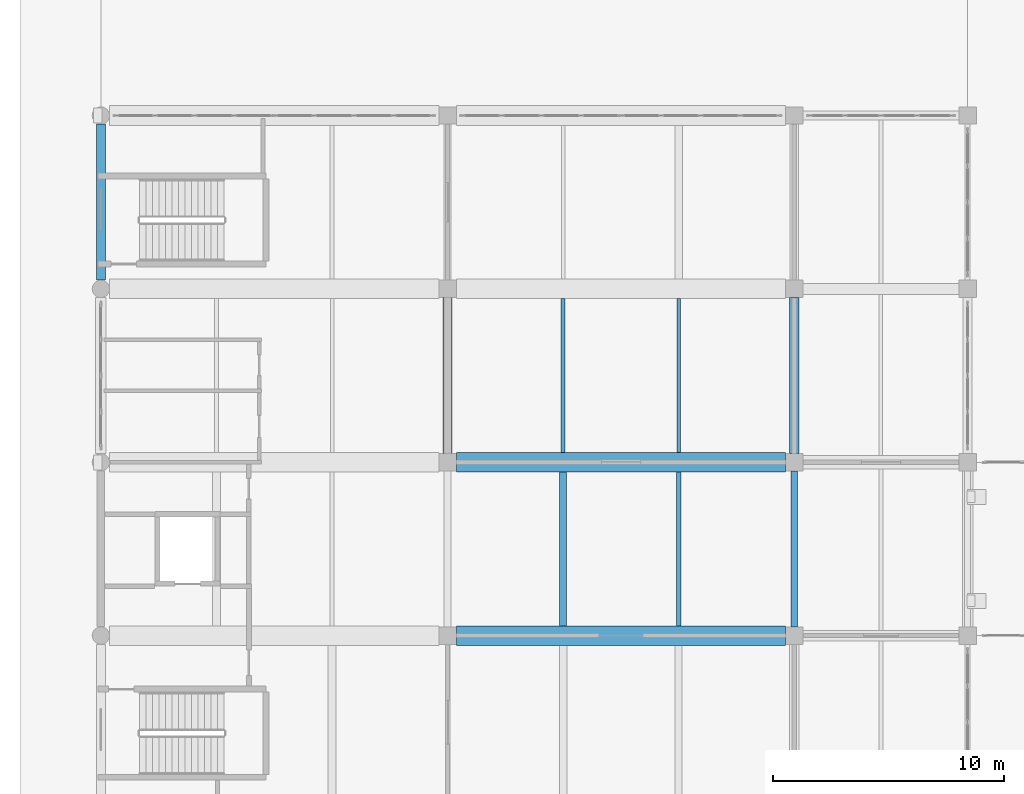
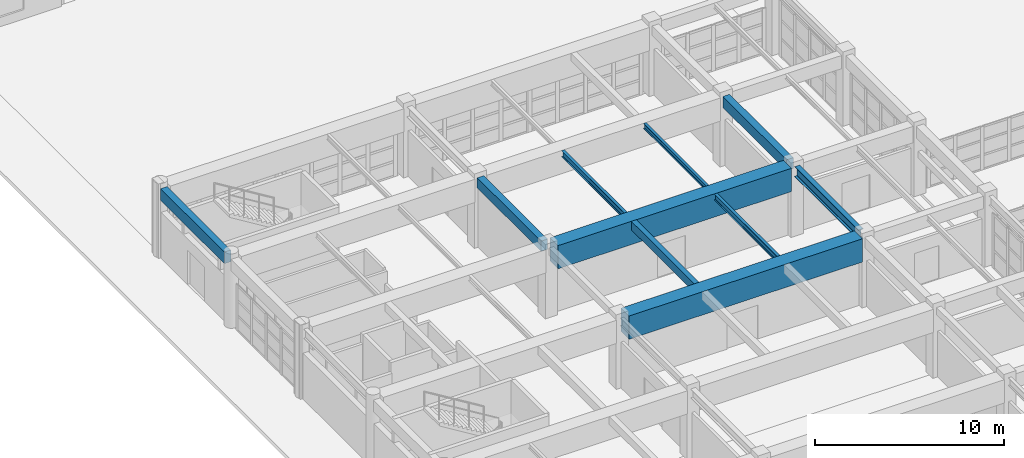
# One storey, part 12 of 122: 10 beams.
"""IFC4 building model written with IfcOpenShell, lengths in metres."""

import ifcopenshell
import ifcopenshell.guid

model = None  # the IFC model being written
_history = None  # IfcOwnerHistory: only IFC2X3 demands one
_inside = {}  # id of a spatial element -> (the spatial element, [elements in it])
_under = {}  # id of a project, library or spatial element -> (it, [spatial elements below it])
_declared = {}  # id of a project -> (the project, [libraries it declares])
_typed = {}  # id of a type object -> (the type object, [elements of that type])
_made_of = {}  # id of a material, layer set ... -> (it, [elements and type objects made of it])


def new_model(schema):
    """Start an empty IFC model of exactly this schema.

    Asked for "IFC4X3", IfcOpenShell would pick the latest addendum, in which some entities
    have other attributes; the version numbers below select the first issue.
    IFC2X3 requires an IfcOwnerHistory on every rooted entity: one is made here for all.
    """
    global model, _history
    if schema == "IFC4X3":
        model = ifcopenshell.file(schema_version=(4, 3, 0, 0))
    else:
        model = ifcopenshell.file(schema=schema)
    _inside.clear()
    _under.clear()
    _declared.clear()
    _typed.clear()
    _made_of.clear()
    _history = None
    if model.schema == "IFC2X3":
        org = make("IfcOrganization", Name="unknown")
        user = make(
            "IfcPersonAndOrganization",
            ThePerson=make("IfcPerson", FamilyName="unknown"),
            TheOrganization=org,
        )
        app = make(
            "IfcApplication",
            ApplicationDeveloper=org,
            Version="unknown",
            ApplicationFullName="unknown",
            ApplicationIdentifier="unknown",
        )
        _history = make(
            "IfcOwnerHistory",
            OwningUser=user,
            OwningApplication=app,
            ChangeAction="ADDED",
            CreationDate=0,
        )
    return model


def make(cls, **values):
    """One entity of the class cls with the attributes given. An attribute that is None is left unset."""
    return model.create_entity(
        cls, **{name: value for name, value in values.items() if value is not None}
    )


def rooted(cls, **values):
    """An entity with a GlobalId (a new one), such as an element, a storey or a relation."""
    return make(cls, GlobalId=ifcopenshell.guid.new(), OwnerHistory=_history, **values)


def si_unit(unit_type, name, prefix=None):
    """IfcSIUnit, for example si_unit("LENGTHUNIT", "METRE", prefix="MILLI")."""
    return make("IfcSIUnit", UnitType=unit_type, Prefix=prefix, Name=name)


def assignment(units):
    """IfcUnitAssignment: the units of a project."""
    return None if units is None else make("IfcUnitAssignment", Units=units)


def point(xyz):
    """IfcCartesianPoint."""
    return None if xyz is None else make("IfcCartesianPoint", Coordinates=xyz)


def direction(xyz):
    """IfcDirection."""
    return None if xyz is None else make("IfcDirection", DirectionRatios=xyz)


def frame(location, z_axis=None, x_axis=None):
    """IfcAxis2Placement3D, a coordinate frame: its origin and axes. An axis left out is left unset."""
    return make(
        "IfcAxis2Placement3D",
        Location=point(location),
        Axis=direction(z_axis),
        RefDirection=direction(x_axis),
    )


def frame_2d(location, x_axis=None):
    """IfcAxis2Placement2D, a coordinate frame in the plane: its origin and x axis."""
    return make(
        "IfcAxis2Placement2D", Location=point(location), RefDirection=direction(x_axis)
    )


def origin():
    """The frame at (0, 0, 0) with its axes left unset."""
    return frame((0.0, 0.0, 0.0))


def origin_2d():
    """The frame at (0, 0) in the plane with its x axis left unset."""
    return frame_2d((0.0, 0.0))


def place(relative_to, where):
    """IfcLocalPlacement: puts the frame where relative to a parent placement (None: the world)."""
    return make(
        "IfcLocalPlacement", PlacementRelTo=relative_to, RelativePlacement=where
    )


def context(
    kind, dimensions, precision=None, world=None, true_north=None, identifier=None
):
    """IfcGeometricRepresentationContext, for example the 3D "Model" context."""
    return make(
        "IfcGeometricRepresentationContext",
        ContextIdentifier=identifier,
        ContextType=kind,
        CoordinateSpaceDimension=dimensions,
        Precision=precision,
        WorldCoordinateSystem=world,
        TrueNorth=true_north,
    )


def subcontext(parent, identifier, kind, view, scale=None):
    """IfcGeometricRepresentationSubContext, for example "Body" below "Model"."""
    return make(
        "IfcGeometricRepresentationSubContext",
        ContextIdentifier=identifier,
        ContextType=kind,
        ParentContext=parent,
        TargetScale=scale,
        TargetView=view,
    )


def project(units=None, contexts=None):
    """IfcProject with its units and contexts."""
    return rooted(
        "IfcProject",
        Name="project",
        RepresentationContexts=contexts,
        UnitsInContext=assignment(units),
    )


def spatial(cls, under=None, at=None, **own):
    """A site, building, storey or space (cls), placed at a placement, below another one or the project."""
    s = rooted(cls, ObjectPlacement=at, **own)
    if under is not None:
        _under.setdefault(under.id(), (under, []))[1].append(s)
    return s


def profile(cls, at=None, kind="AREA", **sizes):
    """A parametric profile (cls). Its sizes go by their IFC names, for example OverallWidth=200.0."""
    return make(cls, ProfileType=kind, Position=at, **sizes)


def rectangle(**sizes):
    """IfcRectangleProfileDef."""
    return profile("IfcRectangleProfileDef", **sizes)


def i_section(**sizes):
    """IfcIShapeProfileDef."""
    return profile("IfcIShapeProfileDef", **sizes)


def extrude(swept, where, along, depth):
    """IfcExtrudedAreaSolid: the profile swept, set in the frame where, extruded along a direction by depth."""
    return make(
        "IfcExtrudedAreaSolid",
        SweptArea=swept,
        Position=where,
        ExtrudedDirection=direction(along),
        Depth=depth,
    )


def shape(context_of_items, identifier, shape_type, items):
    """IfcShapeRepresentation: the items that make up one representation, for example the "Body"."""
    return make(
        "IfcShapeRepresentation",
        ContextOfItems=context_of_items,
        RepresentationIdentifier=identifier,
        RepresentationType=shape_type,
        Items=items,
    )


def material(Name=None, Category=None):
    """IfcMaterial."""
    return make("IfcMaterial", Name=Name, Category=Category)


def material_profile(
    of_material, cross_section, Name=None, Category=None, Priority=None
):
    """IfcMaterialProfile: a cross section and its material."""
    return make(
        "IfcMaterialProfile",
        Name=Name,
        Material=of_material,
        Profile=cross_section,
        Priority=Priority,
        Category=Category,
    )


def profile_set(profiles, Name=None, composite=None):
    """IfcMaterialProfileSet."""
    return make(
        "IfcMaterialProfileSet",
        Name=Name,
        MaterialProfiles=profiles,
        CompositeProfile=composite,
    )


def made_of(thing, what):
    """Note that an element or type object is made of a material, layer set ...; save() writes the relation."""
    if what is not None:
        _made_of.setdefault(what.id(), (what, []))[1].append(thing)
    return thing


def type_object(cls, material=None, **own):
    """A type object (cls), such as IfcWallType, which elements share."""
    return made_of(rooted(cls, **own), material)


def element(
    cls,
    number,
    at=None,
    inside=None,
    cuts=None,
    type_object=None,
    material=None,
    context=None,
    identifier="Body",
    shape_type=None,
    held_by="IfcProductDefinitionShape",
    body=None,
    shapes=None,
    **own,
):
    """One element of the class cls, such as IfcWall. Its Tag is "e" and its number.

    at: its placement. inside: the storey or other place that contains it. cuts: it is an
    opening in that element (IfcRelVoidsElement). A single representation is given by context,
    identifier, shape_type and body (its items); several are given by shapes. held_by: the class
    of the entity that holds the representations. save() writes the other relations.
    """
    e = rooted(cls, Tag="e%d" % number, ObjectPlacement=at, **own)
    if body is not None:
        shapes = [shape(context, identifier, shape_type, body)]
    if shapes is not None:
        e.Representation = make(held_by, Representations=shapes)
    if inside is not None:
        _inside.setdefault(inside.id(), (inside, []))[1].append(e)
    if cuts is not None:
        rooted(
            "IfcRelVoidsElement", RelatingBuildingElement=cuts, RelatedOpeningElement=e
        )
    if type_object is not None:
        _typed.setdefault(type_object.id(), (type_object, []))[1].append(e)
    return made_of(e, material)


def aggregate(whole, parts):
    """IfcRelAggregates: a whole, such as a stair, and the parts it consists of."""
    return rooted("IfcRelAggregates", RelatingObject=whole, RelatedObjects=parts)


def save(model, path):
    """Write the relations noted so far, then the file.

    IfcRelAggregates (storeys below a building ...), IfcRelContainedInSpatialStructure (elements
    in a storey), IfcRelDefinesByType, IfcRelAssociatesMaterial and IfcRelDeclares: one each for
    every whole, place, type object, material and project.
    """
    for whole, parts in _under.values():
        aggregate(whole, parts)
    for where, things in _inside.values():
        rooted(
            "IfcRelContainedInSpatialStructure",
            RelatedElements=things,
            RelatingStructure=where,
        )
    for kind, things in _typed.values():
        rooted("IfcRelDefinesByType", RelatedObjects=things, RelatingType=kind)
    for what, things in _made_of.values():
        rooted("IfcRelAssociatesMaterial", RelatedObjects=things, RelatingMaterial=what)
    for by, libraries in _declared.values():
        rooted("IfcRelDeclares", RelatingContext=by, RelatedDefinitions=libraries)
    model.write(path)


model = new_model("IFC4")

# Units and contexts
model_context = context("Model", 3, precision=1e-05, world=origin(), true_north=direction((0.0, 1.0)))
body_context = subcontext(model_context, "Body", "Model", "MODEL_VIEW")
ifc_project = project(units=[si_unit("LENGTHUNIT", "METRE"), si_unit("AREAUNIT", "SQUARE_METRE"), si_unit("VOLUMEUNIT", "CUBIC_METRE"), si_unit("PLANEANGLEUNIT", "RADIAN"), si_unit("MASSUNIT", "GRAM", prefix="KILO")], contexts=[model_context])

# Site, building, storey
site_placement = place(None, origin())
site = spatial("IfcSite", under=ifc_project, at=site_placement, CompositionType="ELEMENT")
building_placement = place(site_placement, origin())
building = spatial("IfcBuilding", under=site, at=building_placement, Name="Qasida Concert Hall", CompositionType="ELEMENT")
storey_placement = place(building_placement, origin())
storey = spatial("IfcBuildingStorey", under=building, at=storey_placement, Name="L00", CompositionType="ELEMENT", Elevation=0.0)

# Beams
ifc_material_1 = material(Name="Concrete C40/50", Category="concrete")
ifc_material_profile_1 = material_profile(ifc_material_1, rectangle(XDim=0.39990234375, YDim=0.64990234375, at=origin_2d()), Name="RC 400x650")
ifc_profile_set_1 = profile_set([ifc_material_profile_1], Name="Concrete C40/50")
beam_type_1 = type_object("IfcBeamType", Name="BM-B1", PredefinedType="BEAM", material=ifc_profile_set_1)
beam_1_placement = place(storey_placement, frame((15.0, 37.875, 4.175048828125), z_axis=(0.0, 1.0, 0.0), x_axis=(-1.0, 0.0, 0.0)))
element("IfcBeam", 1, at=beam_1_placement, inside=storey, type_object=beam_type_1, Name="L00 girder 0544", PredefinedType="BEAM", context=body_context, shape_type="SweptSolid", body=[
    extrude(rectangle(XDim=0.39990234375, YDim=0.64990234375, at=origin_2d()), origin(), (0.0, 0.0, 1.0), 6.75),
])
ifc_material_profile_2 = material_profile(ifc_material_1, rectangle(XDim=0.419921875, YDim=0.699951171875, at=origin_2d()), Name="RC 420x700")
ifc_profile_set_2 = profile_set([ifc_material_profile_2], Name="Concrete C40/50")
beam_type_2 = type_object("IfcBeamType", Name="BM-B11", PredefinedType="BEAM", material=ifc_profile_set_2)
beam_2_placement = place(storey_placement, frame((30.0, 37.875, 4.14990234375), z_axis=(0.0, 1.0, 0.0), x_axis=(-1.0, 0.0, 0.0)))
element("IfcBeam", 2, at=beam_2_placement, inside=storey, type_object=beam_type_2, Name="L00 girder 0551", PredefinedType="BEAM", context=body_context, shape_type="SweptSolid", body=[
    extrude(rectangle(XDim=0.419921875, YDim=0.699951171875, at=origin_2d()), origin(), (0.0, 0.0, 1.0), 6.75),
])
ifc_material_2 = material(Name="Steel S355J2", Category="steel")
ifc_material_profile_3 = material_profile(ifc_material_2, i_section(OverallWidth=0.300048828125, OverallDepth=0.64990234375, WebThickness=0.01611328125, FlangeThickness=0.031005859375, FilletRadius=0.027099609375, at=origin_2d()), Name="HEB 650")
ifc_profile_set_3 = profile_set([ifc_material_profile_3], Name="Steel S355J2")
beam_type_3 = type_object("IfcBeamType", Name="BM-B13", PredefinedType="BEAM", material=ifc_profile_set_3)
beam_3_placement = place(storey_placement, frame((30.0, 30.375, 4.175048828125), z_axis=(0.0, 1.0, 0.0), x_axis=(-1.0, 0.0, 0.0)))
element("IfcBeam", 3, at=beam_3_placement, inside=storey, type_object=beam_type_3, Name="L00 girder 0550", PredefinedType="BEAM", context=body_context, shape_type="SweptSolid", body=[
    extrude(i_section(OverallWidth=0.300048828125, OverallDepth=0.64990234375, WebThickness=0.01611328125, FlangeThickness=0.031005859375, FilletRadius=0.027099609375, at=origin_2d()), origin(), (0.0, 0.0, 1.0), 6.75),
])
ifc_material_profile_4 = material_profile(ifc_material_1, rectangle(XDim=0.300048828125, YDim=0.550048828125, at=origin_2d()), Name="RC 300x550")
ifc_profile_set_4 = profile_set([ifc_material_profile_4], Name="Concrete C40/50")
beam_type_4 = type_object("IfcBeamType", Name="BM-J1", PredefinedType="JOIST", material=ifc_profile_set_4)
beam_4_placement = place(storey_placement, frame((20.0, 30.425048828125, 4.22509765625), z_axis=(0.0, 1.0, 0.0), x_axis=(-1.0, 0.0, 0.0)))
element("IfcBeam", 4, at=beam_4_placement, inside=storey, type_object=beam_type_4, Name="L00 secondary joist 0576", PredefinedType="JOIST", context=body_context, shape_type="SweptSolid", body=[
    extrude(rectangle(XDim=0.300048828125, YDim=0.550048828125, at=origin_2d()), origin(), (0.0, 0.0, 1.0), 6.64990234375),
])
ifc_material_profile_5 = material_profile(ifc_material_2, i_section(OverallWidth=0.179931640625, OverallDepth=0.39990234375, WebThickness=0.008544921875, FlangeThickness=0.013427734375, FilletRadius=0.02099609375, at=origin_2d()), Name="IPE 400")
ifc_profile_set_5 = profile_set([ifc_material_profile_5], Name="Steel S355J2")
beam_type_5 = type_object("IfcBeamType", Name="BM-J3", PredefinedType="JOIST", material=ifc_profile_set_5)
for number, where, z_axis, x_axis, name in (
    (5, (25.0, 30.425048828125, 4.300048828125), (0.0, 1.0, 0.0), (-1.0, 0.0, 0.0), "L00 secondary joist 0577"),
    (6, (20.0, 37.925048828125, 4.300048828125), (0.0, 1.0, 0.0), (-1.0, 0.0, 0.0), "L00 secondary joist 0578"),
):
    element("IfcBeam", number, at=place(storey_placement, frame(where, z_axis=z_axis, x_axis=x_axis)), inside=storey, type_object=beam_type_5, Name=name, PredefinedType="JOIST", context=body_context, shape_type="SweptSolid", body=[
        extrude(i_section(OverallWidth=0.179931640625, OverallDepth=0.39990234375, WebThickness=0.008544921875, FlangeThickness=0.013427734375, FilletRadius=0.02099609375, at=origin_2d()), origin(), (0.0, 0.0, 1.0), 6.64990234375),
    ])
ifc_material_profile_6 = material_profile(ifc_material_2, i_section(OverallWidth=0.159912109375, OverallDepth=0.330078125, WebThickness=0.007568359375, FlangeThickness=0.011474609375, FilletRadius=0.01806640625, at=origin_2d()), Name="IPE 330")
ifc_profile_set_6 = profile_set([ifc_material_profile_6], Name="Steel S355J2")
beam_type_6 = type_object("IfcBeamType", Name="BM-J5", PredefinedType="JOIST", material=ifc_profile_set_6)
beam_5_placement = place(storey_placement, frame((25.0, 37.925048828125, 4.3349609375), z_axis=(0.0, 1.0, 0.0), x_axis=(-1.0, 0.0, 0.0)))
element("IfcBeam", 7, at=beam_5_placement, inside=storey, type_object=beam_type_6, Name="L00 secondary joist 0579", PredefinedType="JOIST", context=body_context, shape_type="SweptSolid", body=[
    extrude(i_section(OverallWidth=0.159912109375, OverallDepth=0.330078125, WebThickness=0.007568359375, FlangeThickness=0.011474609375, FilletRadius=0.01806640625, at=origin_2d()), origin(), (0.0, 0.0, 1.0), 6.64990234375),
])
ifc_material_profile_7 = material_profile(ifc_material_1, rectangle(XDim=0.39990234375, YDim=0.75, at=origin_2d()), Name="RC 400x750")
ifc_profile_set_7 = profile_set([ifc_material_profile_7], Name="Concrete C40/50")
beam_type_7 = type_object("IfcBeamType", Name="BM-SP1", PredefinedType="SPANDREL", material=ifc_profile_set_7)
beam_6_placement = place(storey_placement, frame((0.0, 45.375, 4.125), z_axis=(0.0, 1.0, 0.0), x_axis=(-1.0, 0.0, 0.0)))
element("IfcBeam", 8, at=beam_6_placement, inside=storey, type_object=beam_type_7, Name="L00 girder 0538", PredefinedType="SPANDREL", context=body_context, shape_type="SweptSolid", body=[
    extrude(rectangle(XDim=0.39990234375, YDim=0.75, at=origin_2d()), origin(), (0.0, 0.0, 1.0), 6.75),
])
ifc_material_3 = material(Name="Concrete C50/60", Category="concrete")
ifc_material_profile_8 = material_profile(ifc_material_3, rectangle(XDim=0.85009765625, YDim=1.5, at=origin_2d()), Name="RC 850x1500")
ifc_profile_set_8 = profile_set([ifc_material_profile_8], Name="Concrete C50/60")
beam_type_8 = type_object("IfcBeamType", Name="BM-TG2", PredefinedType="USERDEFINED", material=ifc_profile_set_8)
for number, where, z_axis, x_axis, name in (
    (9, (15.375, 30.0, 3.75), (1.0, 0.0, 0.0), (0.0, 1.0, 0.0), "Transfer girder TG-0521"),
    (10, (15.375, 37.5, 3.75), (1.0, 0.0, 0.0), (0.0, 1.0, 0.0), "Transfer girder TG-0524"),
):
    element("IfcBeam", number, at=place(storey_placement, frame(where, z_axis=z_axis, x_axis=x_axis)), inside=storey, type_object=beam_type_8, Name=name, ObjectType="GIRDER", PredefinedType="USERDEFINED", context=body_context, shape_type="SweptSolid", body=[
        extrude(rectangle(XDim=0.85009765625, YDim=1.5, at=origin_2d()), origin(), (0.0, 0.0, 1.0), 14.25),
    ])

save(model, "model.ifc")
